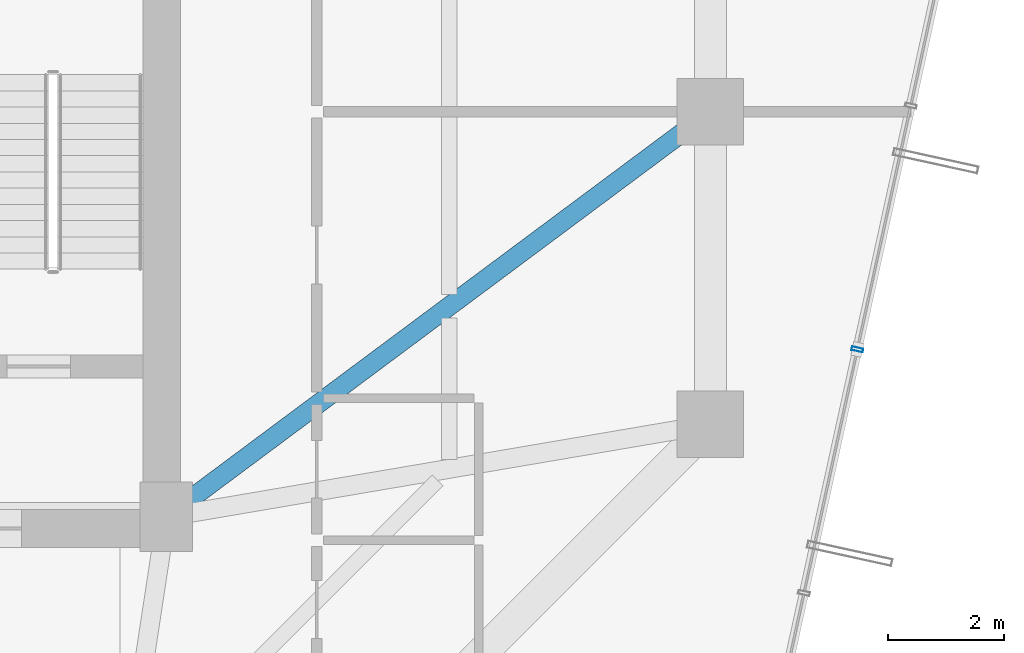
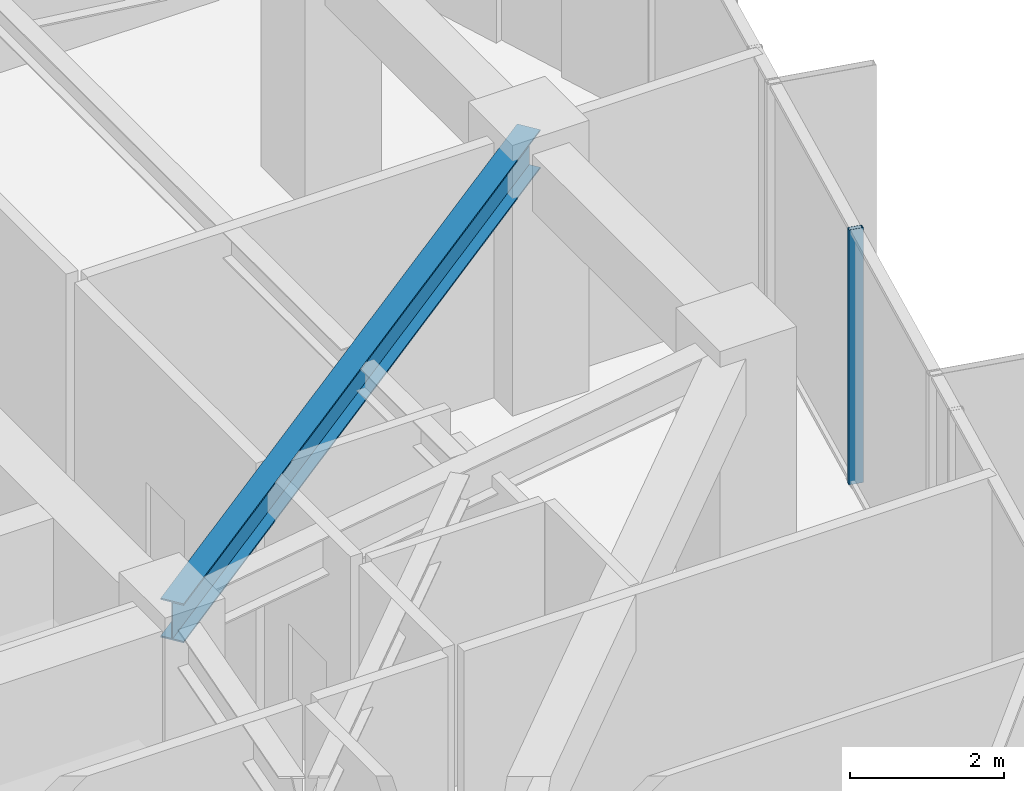
# One storey, part 14 of 28: 1 beam, 1 member, 1 element without a shape of its own.
"""IFC4 building model written with IfcOpenShell, lengths in metres."""

from ifc_helpers import new_model, si_unit, direction, frame, origin, origin_2d, place, context, subcontext, project, spatial, hollow_rectangle, i_section, extrude, source, transform, mapped, material, layer, layer_set, material_profile, profile_set, type_object, element, aggregate, save


model = new_model("IFC4")

# Units and contexts
model_context = context("Model", 3, precision=1e-05, world=origin(), true_north=direction((0.0, 1.0)))
body_context = subcontext(model_context, "Body", "Model", "MODEL_VIEW")
ifc_project = project(units=[si_unit("LENGTHUNIT", "METRE"), si_unit("AREAUNIT", "SQUARE_METRE"), si_unit("VOLUMEUNIT", "CUBIC_METRE"), si_unit("PLANEANGLEUNIT", "RADIAN"), si_unit("MASSUNIT", "GRAM", prefix="KILO")], contexts=[model_context])

# Site, building, storey
site_placement = place(None, origin())
site = spatial("IfcSite", under=ifc_project, at=site_placement, CompositionType="ELEMENT")
building_placement = place(site_placement, origin())
building = spatial("IfcBuilding", under=site, at=building_placement, Name="Veraguas Prism Commons", CompositionType="ELEMENT")
storey_placement = place(building_placement, frame((0.0, 0.0, 85.14990234375)))
storey = spatial("IfcBuildingStorey", under=building, at=storey_placement, Name="L23", CompositionType="ELEMENT", Elevation=85.14990234375)

# Beam
ifc_material_1 = material(Name="Steel ASTM A992 Grade 50", Category="steel")
ifc_material_profile_1 = material_profile(ifc_material_1, i_section(OverallWidth=0.327880859375, OverallDepth=0.6220703125, WebThickness=0.015380859375, FlangeThickness=0.0244140625, at=origin_2d()), Name="W610X195")
ifc_profile_set_1 = profile_set([ifc_material_profile_1], Name="Steel ASTM A992 Grade 50")
beam_type = type_object("IfcBeamType", Name="Zone 2 Radial Girder W610x195", PredefinedType="BEAM", material=ifc_profile_set_1)
beam_placement = place(storey_placement, frame((40.199951171875, 24.0, 3.739013671875), z_axis=(-0.802040137921, -0.597270137512, 0.0), x_axis=(0.597270137512, -0.802040137921, 0.0)))
element("IfcBeam", 1, at=beam_placement, inside=storey, type_object=beam_type, Name="Radial Floor Girder L23-RD02", PredefinedType="BEAM", context=body_context, shape_type="SweptSolid", body=[
    extrude(i_section(OverallWidth=0.327880859375, OverallDepth=0.6220703125, WebThickness=0.015380859375, FlangeThickness=0.0244140625, at=origin_2d()), origin(), (0.0, 0.0, 1.0), 11.719970703125),
])

# Curtain wall, member
ifc_material_2 = material(Name="Anodised aluminium EN AW-6063 T6", Category="aluminium")
ifc_layer = layer(ifc_material_2, 0.199951171875, Name="Sky Lobby and Pool Acoustic Curtain Wall", Category="aluminium")
ifc_layer_set = layer_set([ifc_layer], Name="Anodised aluminium EN AW-6063 T6")
curtain_wall_type = type_object("IfcCurtainWallType", Name="Sky Lobby and Pool Acoustic Curtain Wall", PredefinedType="NOTDEFINED", material=ifc_layer_set)
curtain_wall_placement = place(storey_placement, origin())
curtain_wall = element("IfcCurtainWall", 2, at=curtain_wall_placement, inside=storey, type_object=curtain_wall_type, Name="Tower Facade Curtain Wall L23-F6", PredefinedType="NOTDEFINED")
ifc_material_profile_2 = material_profile(ifc_material_2, hollow_rectangle(XDim=0.06494140625, YDim=0.199951171875, WallThickness=0.00390625, at=origin_2d()), Name="AL65X200X4")
ifc_profile_set_2 = profile_set([ifc_material_profile_2], Name="Anodised aluminium EN AW-6063 T6")
member_type = type_object("IfcMemberType", Name="Curtain Wall Mullion Heavy AL 65x200x4", PredefinedType="MULLION", material=ifc_profile_set_2)
shared_shape = source(origin(), body_context, "Body", "SweptSolid", [
    extrude(hollow_rectangle(XDim=0.06494140625, YDim=0.199951171875, WallThickness=0.00390625, at=origin_2d()), origin(), (0.0, 0.0, 1.0), 4.050048828125),
])
member_placement = place(storey_placement, frame((42.73779296875, 19.89404296875, 0.0), z_axis=(0.0, 0.0, 1.0), x_axis=(0.21405513389, 0.976821580257, 0.0)))
member = element("IfcMember", 3, at=member_placement, type_object=member_type, Name="CW-SKY Mullion 3", PredefinedType="MULLION", context=body_context, shape_type="MappedRepresentation", body=[
    mapped(shared_shape, transform((0.0, 0.0, 0.0), scale=1.0)),
])
aggregate(curtain_wall, [member])

save(model, "model.ifc")
